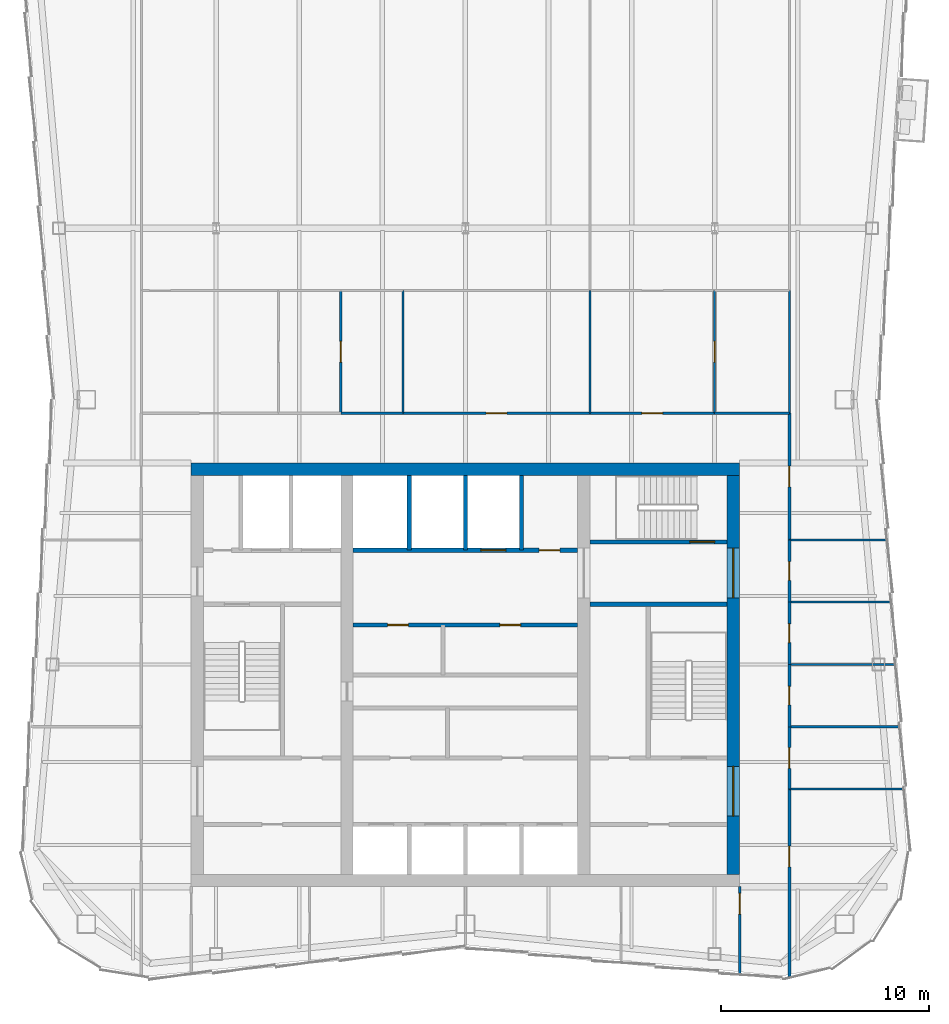
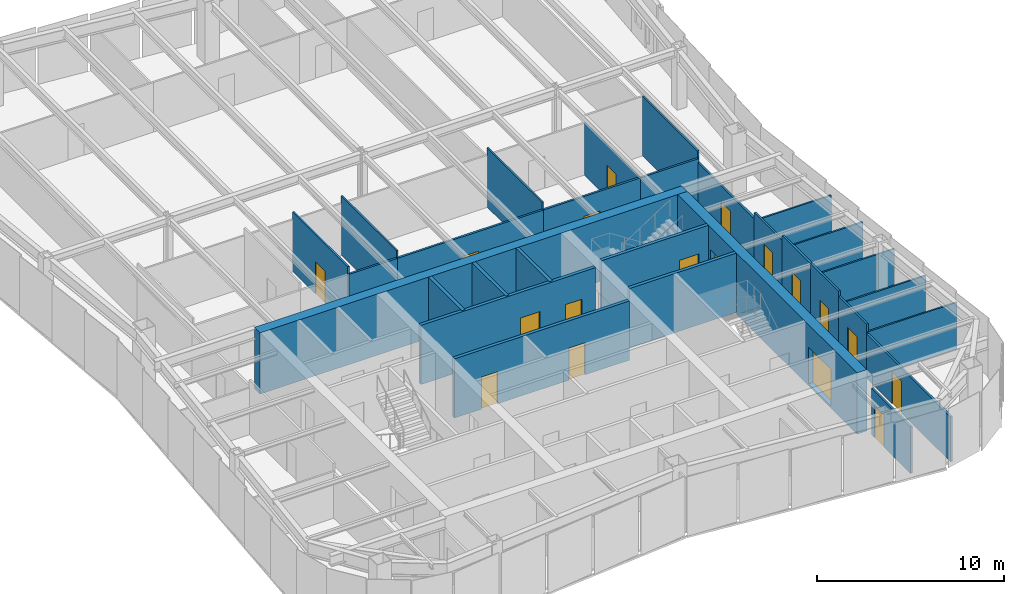
# One storey, part 7 of 10: 30 walls, 18 doors, 18 openings.
"""IFC4 building model written with IfcOpenShell, lengths in metres."""

from ifc_helpers import new_model, si_unit, direction, frame, frame_2d, origin, place, context, subcontext, project, spatial, rectangle, extrude, material, layer, layer_set, type_object, element, fill, save


model = new_model("IFC4")

# Units and contexts
model_context = context("Model", 3, precision=1e-05, world=origin(), true_north=direction((0.0, 1.0)))
body_context = subcontext(model_context, "Body", "Model", "MODEL_VIEW")
ifc_project = project(units=[si_unit("LENGTHUNIT", "METRE"), si_unit("AREAUNIT", "SQUARE_METRE"), si_unit("VOLUMEUNIT", "CUBIC_METRE"), si_unit("PLANEANGLEUNIT", "RADIAN"), si_unit("MASSUNIT", "GRAM", prefix="KILO")], contexts=[model_context])

# Site, building, storey
site_placement = place(None, origin())
site = spatial("IfcSite", under=ifc_project, at=site_placement, CompositionType="ELEMENT")
building_placement = place(site_placement, origin())
building = spatial("IfcBuilding", under=site, at=building_placement, Name="Verdant Reach Tower", CompositionType="ELEMENT")
storey_placement = place(building_placement, frame((0.0, 0.0, 310.0)))
storey = spatial("IfcBuildingStorey", under=building, at=storey_placement, Name="L71", CompositionType="ELEMENT", Elevation=310.0)

# Wall, openings, doors
ifc_material_1 = material(Name="Gypsum board on steel studs", Category="steel")
ifc_layer_1 = layer(ifc_material_1, 0.199951171875)
ifc_layer_set_1 = layer_set([ifc_layer_1], Name="CO-WALL-ROOM")
wall_type_1 = type_object("IfcWallType", Name="CO-WALL-ROOM", PredefinedType="PARTITIONING", material=ifc_layer_set_1)
wall_1_placement = place(storey_placement, frame((-5.39990234375, 30.39990234375, 0.0), z_axis=(0.0, 0.0, 1.0), x_axis=(1.0, 0.0, 0.0)))
wall_1 = element("IfcWall", 1, at=wall_1_placement, inside=storey, type_object=wall_type_1, Name="Core partition, L71", PredefinedType="PARTITIONING", context=body_context, shape_type="SweptSolid", body=[
    extrude(rectangle(XDim=10.7998046875, YDim=0.199951171875, at=frame_2d((5.39990234375, 0.0))), origin(), (0.0, 0.0, 1.0), 3.8701171875),
])
opening_1_placement = place(wall_1_placement, frame((1.659912109375, 0.0, 0.0)))
opening_1 = element("IfcOpeningElement", 2, at=opening_1_placement, cuts=wall_1, Name="Opening CD", PredefinedType="OPENING", context=body_context, shape_type="SweptSolid", body=[
    extrude(rectangle(XDim=1.0, YDim=2.10009765625, at=frame_2d((0.5, 1.050048828125))), frame((0.0, 0.10986328125, 0.0), z_axis=(0.0, -1.0, 0.0), x_axis=(1.0, 0.0, 0.0)), (0.0, 0.0, 1.0), 0.219970703125),
])
opening_2_placement = place(wall_1_placement, frame((7.06005859375, 0.0, 0.0)))
opening_2 = element("IfcOpeningElement", 3, at=opening_2_placement, cuts=wall_1, Name="Opening CD", PredefinedType="OPENING", context=body_context, shape_type="SweptSolid", body=[
    extrude(rectangle(XDim=1.0, YDim=2.10009765625, at=frame_2d((0.5, 1.050048828125))), frame((0.0, 0.10986328125, 0.0), z_axis=(0.0, -1.0, 0.0), x_axis=(1.0, 0.0, 0.0)), (0.0, 0.0, 1.0), 0.219970703125),
])
ifc_material_2 = material(Name="Timber", Category="wood")
door_type_1 = type_object("IfcDoorType", Name="CO-DOOR-ROOM", OperationType="NOTDEFINED", PredefinedType="DOOR", material=ifc_material_2)
door_1_placement = place(opening_1_placement, origin())
door_1 = element("IfcDoor", 4, at=door_1_placement, inside=storey, type_object=door_type_1, Name="Core room door, L71", OperationType="SINGLE_SWING_RIGHT", OverallHeight=2.10009765625, OverallWidth=1.0, PredefinedType="DOOR", context=body_context, shape_type="SweptSolid", body=[
    extrude(rectangle(XDim=1.0, YDim=2.10009765625, at=frame_2d((0.5, 1.050048828125))), frame((0.0, 0.02490234375, 0.0), z_axis=(0.0, -1.0, 0.0), x_axis=(1.0, 0.0, 0.0)), (0.0, 0.0, 1.0), 0.050048828125),
])
fill(opening_1, door_1)
door_2_placement = place(opening_2_placement, origin())
door_2 = element("IfcDoor", 5, at=door_2_placement, inside=storey, type_object=door_type_1, Name="Core room door, L71", OperationType="SINGLE_SWING_LEFT", OverallHeight=2.10009765625, OverallWidth=1.0, PredefinedType="DOOR", context=body_context, shape_type="SweptSolid", body=[
    extrude(rectangle(XDim=1.0, YDim=2.10009765625, at=frame_2d((0.5, 1.050048828125))), frame((0.0, 0.02490234375, 0.0), z_axis=(0.0, -1.0, 0.0), x_axis=(1.0, 0.0, 0.0)), (0.0, 0.0, 1.0), 0.050048828125),
])
fill(opening_2, door_2)

ifc_material_3 = material(Name="Concrete C40/50", Category="concrete")
ifc_layer_2 = layer(ifc_material_3, 0.199951171875)
ifc_layer_set_2 = layer_set([ifc_layer_2], Name="CO-WALL-SHAFT")
wall_type_2 = type_object("IfcWallType", Name="CO-WALL-SHAFT", PredefinedType="PARTITIONING", material=ifc_layer_set_2)
wall_2_placement = place(storey_placement, frame((-5.39990234375, 34.0, 0.0), z_axis=(0.0, 0.0, 1.0), x_axis=(1.0, 0.0, 0.0)))
wall_2 = element("IfcWall", 6, at=wall_2_placement, inside=storey, type_object=wall_type_2, Name="Lift shaft wall, L71", PredefinedType="PARTITIONING", context=body_context, shape_type="SweptSolid", body=[
    extrude(rectangle(XDim=10.7998046875, YDim=0.199951171875, at=frame_2d((5.39990234375, 0.0))), origin(), (0.0, 0.0, 1.0), 3.8701171875),
])
opening_3_placement = place(wall_2_placement, frame((6.14990234375, 0.0, 0.0)))
opening_3 = element("IfcOpeningElement", 7, at=opening_3_placement, cuts=wall_2, Name="Opening LD-SL1", PredefinedType="OPENING", context=body_context, shape_type="SweptSolid", body=[
    extrude(rectangle(XDim=1.199951171875, YDim=2.199951171875, at=frame_2d((0.60009765625, 1.10009765625))), frame((0.0, 0.10986328125, 0.0), z_axis=(0.0, -1.0, 0.0), x_axis=(1.0, 0.0, 0.0)), (0.0, 0.0, 1.0), 0.219970703125),
])
opening_4_placement = place(wall_2_placement, frame((8.949951171875, 0.0, 0.0)))
opening_4 = element("IfcOpeningElement", 8, at=opening_4_placement, cuts=wall_2, Name="Opening CD", PredefinedType="OPENING", context=body_context, shape_type="SweptSolid", body=[
    extrude(rectangle(XDim=1.0, YDim=2.10009765625, at=frame_2d((0.5, 1.050048828125))), frame((0.0, 0.10986328125, 0.0), z_axis=(0.0, -1.0, 0.0), x_axis=(1.0, 0.0, 0.0)), (0.0, 0.0, 1.0), 0.219970703125),
])
ifc_material_4 = material(Name="Stainless steel", Category="steel")
door_type_2 = type_object("IfcDoorType", Name="CO-DOOR-LANDING", OperationType="SLIDING_TO_LEFT", PredefinedType="DOOR", material=ifc_material_4)
door_3_placement = place(opening_3_placement, origin())
door_3 = element("IfcDoor", 9, at=door_3_placement, inside=storey, type_object=door_type_2, Name="Landing door SL1, L71", OperationType="SLIDING_TO_LEFT", OverallHeight=2.199951171875, OverallWidth=1.199951171875, PredefinedType="DOOR", context=body_context, shape_type="SweptSolid", body=[
    extrude(rectangle(XDim=1.199951171875, YDim=2.199951171875, at=frame_2d((0.60009765625, 1.10009765625))), frame((0.0, 0.02490234375, 0.0), z_axis=(0.0, -1.0, 0.0), x_axis=(1.0, 0.0, 0.0)), (0.0, 0.0, 1.0), 0.050048828125),
])
fill(opening_3, door_3)
door_4_placement = place(opening_4_placement, origin())
door_4 = element("IfcDoor", 10, at=door_4_placement, inside=storey, type_object=door_type_1, Name="Core room door, L71", OperationType="SINGLE_SWING_LEFT", OverallHeight=2.10009765625, OverallWidth=1.0, PredefinedType="DOOR", context=body_context, shape_type="SweptSolid", body=[
    extrude(rectangle(XDim=1.0, YDim=2.10009765625, at=frame_2d((0.5, 1.050048828125))), frame((0.0, 0.02490234375, 0.0), z_axis=(0.0, -1.0, 0.0), x_axis=(1.0, 0.0, 0.0)), (0.0, 0.0, 1.0), 0.050048828125),
])
fill(opening_4, door_4)

# Walls
for number, where, z_axis, x_axis, name in (
    (11, (-2.699951171875, 34.0, 0.0), (0.0, 0.0, 1.0), (0.0, 1.0, 0.0), "Lift shaft wall, L71"),
    (12, (0.0, 34.0, 0.0), (0.0, 0.0, 1.0), (0.0, 1.0, 0.0), "Lift shaft wall, L71"),
    (13, (2.699951171875, 34.0, 0.0), (0.0, 0.0, 1.0), (0.0, 1.0, 0.0), "Lift shaft wall, L71"),
):
    element("IfcWall", number, at=place(storey_placement, frame(where, z_axis=z_axis, x_axis=x_axis)), inside=storey, type_object=wall_type_2, Name=name, PredefinedType="PARTITIONING", context=body_context, shape_type="SweptSolid", body=[
        extrude(rectangle(XDim=3.60009765625, YDim=0.199951171875, at=frame_2d((1.800048828125, 0.0))), origin(), (0.0, 0.0, 1.0), 3.8701171875),
    ])
ifc_layer_3 = layer(ifc_material_3, 0.199951171875)
ifc_layer_set_3 = layer_set([ifc_layer_3], Name="CO-WALL-STAIR")
wall_type_3 = type_object("IfcWallType", Name="CO-WALL-STAIR", PredefinedType="PARTITIONING", material=ifc_layer_set_3)
wall_3_placement = place(storey_placement, frame((6.0, 31.39990234375, 0.0), z_axis=(0.0, 0.0, 1.0), x_axis=(1.0, 0.0, 0.0)))
element("IfcWall", 14, at=wall_3_placement, inside=storey, type_object=wall_type_3, Name="Stair enclosure wall, L71", PredefinedType="PARTITIONING", context=body_context, shape_type="SweptSolid", body=[
    extrude(rectangle(XDim=6.60009765625, YDim=0.199951171875, at=frame_2d((3.300048828125, 0.0))), origin(), (0.0, 0.0, 1.0), 3.8701171875),
])

# Wall, opening, door
wall_4_placement = place(storey_placement, frame((6.0, 34.39990234375, 0.0), z_axis=(0.0, 0.0, 1.0), x_axis=(1.0, 0.0, 0.0)))
wall_4 = element("IfcWall", 15, at=wall_4_placement, inside=storey, type_object=wall_type_3, Name="Stair enclosure wall, L71", PredefinedType="PARTITIONING", context=body_context, shape_type="SweptSolid", body=[
    extrude(rectangle(XDim=6.60009765625, YDim=0.199951171875, at=frame_2d((3.300048828125, 0.0))), origin(), (0.0, 0.0, 1.0), 3.8701171875),
])
opening_5_placement = place(wall_4_placement, frame((4.800048828125, 0.0, 0.0)))
opening_5 = element("IfcOpeningElement", 16, at=opening_5_placement, cuts=wall_4, Name="Opening SD", PredefinedType="OPENING", context=body_context, shape_type="SweptSolid", body=[
    extrude(rectangle(XDim=1.199951171875, YDim=2.199951171875, at=frame_2d((0.60009765625, 1.10009765625))), frame((0.0, 0.10986328125, 0.0), z_axis=(0.0, -1.0, 0.0), x_axis=(1.0, 0.0, 0.0)), (0.0, 0.0, 1.0), 0.219970703125),
])
ifc_material_5 = material(Name="Steel", Category="steel")
door_type_3 = type_object("IfcDoorType", Name="CO-DOOR-STAIR", OperationType="NOTDEFINED", PredefinedType="DOOR", material=ifc_material_5)
door_5_placement = place(opening_5_placement, origin())
door_5 = element("IfcDoor", 17, at=door_5_placement, inside=storey, type_object=door_type_3, Name="Stair door, L71", OperationType="SINGLE_SWING_RIGHT", OverallHeight=2.199951171875, OverallWidth=1.199951171875, PredefinedType="DOOR", context=body_context, shape_type="SweptSolid", body=[
    extrude(rectangle(XDim=1.199951171875, YDim=2.199951171875, at=frame_2d((0.60009765625, 1.10009765625))), frame((0.0, 0.02490234375, 0.0), z_axis=(0.0, -1.0, 0.0), x_axis=(1.0, 0.0, 0.0)), (0.0, 0.0, 1.0), 0.050048828125),
])
fill(opening_5, door_5)

# Walls
ifc_layer_4 = layer(ifc_material_1, 0.10009765625)
ifc_layer_set_4 = layer_set([ifc_layer_4], Name="FL-W1 Partition 100")
wall_type_4 = type_object("IfcWallType", Name="FL-W1 Partition 100", PredefinedType="PARTITIONING", material=ifc_layer_set_4)
wall_5_placement = place(storey_placement, frame((21.123046875, 22.5, 0.0), z_axis=(0.0, 0.0, 1.0), x_axis=(-1.0, 0.0, 0.0)))
element("IfcWall", 18, at=wall_5_placement, inside=storey, type_object=wall_type_4, Name="Partition 71.23", PredefinedType="PARTITIONING", context=body_context, shape_type="SweptSolid", body=[
    extrude(rectangle(XDim=5.52294921875, YDim=0.10009765625, at=frame_2d((2.761474609375, 0.0))), origin(), (0.0, 0.0, 1.0), 3.0400390625),
])
wall_6_placement = place(storey_placement, frame((20.916259765625, 25.5, 0.0), z_axis=(0.0, 0.0, 1.0), x_axis=(-1.0, 0.0, 0.0)))
element("IfcWall", 19, at=wall_6_placement, inside=storey, type_object=wall_type_4, Name="Partition 71.24", PredefinedType="PARTITIONING", context=body_context, shape_type="SweptSolid", body=[
    extrude(rectangle(XDim=5.316162109375, YDim=0.10009765625, at=frame_2d((2.658203125, 0.0))), origin(), (0.0, 0.0, 1.0), 3.0400390625),
])
wall_7_placement = place(storey_placement, frame((20.709228515625, 28.5, 0.0), z_axis=(0.0, 0.0, 1.0), x_axis=(-1.0, 0.0, 0.0)))
element("IfcWall", 20, at=wall_7_placement, inside=storey, type_object=wall_type_4, Name="Partition 71.25", PredefinedType="PARTITIONING", context=body_context, shape_type="SweptSolid", body=[
    extrude(rectangle(XDim=5.109130859375, YDim=0.10009765625, at=frame_2d((2.5546875, 0.0))), origin(), (0.0, 0.0, 1.0), 3.0400390625),
])
wall_8_placement = place(storey_placement, frame((20.50244140625, 31.5, 0.0), z_axis=(0.0, 0.0, 1.0), x_axis=(-1.0, 0.0, 0.0)))
element("IfcWall", 21, at=wall_8_placement, inside=storey, type_object=wall_type_4, Name="Partition 71.26", PredefinedType="PARTITIONING", context=body_context, shape_type="SweptSolid", body=[
    extrude(rectangle(XDim=4.90234375, YDim=0.10009765625, at=frame_2d((2.451171875, 0.0))), origin(), (0.0, 0.0, 1.0), 3.0400390625),
])
wall_9_placement = place(storey_placement, frame((20.29541015625, 34.5, 0.0), z_axis=(0.0, 0.0, 1.0), x_axis=(-1.0, 0.0, 0.0)))
element("IfcWall", 22, at=wall_9_placement, inside=storey, type_object=wall_type_4, Name="Partition 71.27", PredefinedType="PARTITIONING", context=body_context, shape_type="SweptSolid", body=[
    extrude(rectangle(XDim=4.6953125, YDim=0.10009765625, at=frame_2d((2.34765625, 0.0))), origin(), (0.0, 0.0, 1.0), 3.0400390625),
])
wall_10_placement = place(storey_placement, frame((15.60009765625, 46.5, 0.0), z_axis=(0.0, 0.0, 1.0), x_axis=(0.0, -1.0, 0.0)))
element("IfcWall", 23, at=wall_10_placement, inside=storey, type_object=wall_type_4, Name="Partition 71.28", PredefinedType="PARTITIONING", context=body_context, shape_type="SweptSolid", body=[
    extrude(rectangle(XDim=5.89990234375, YDim=0.10009765625, at=frame_2d((2.949951171875, 0.0))), origin(), (0.0, 0.0, 1.0), 3.8701171875),
])

# Wall, opening, door
wall_11_placement = place(storey_placement, frame((-6.0, 46.5, 0.0), z_axis=(0.0, 0.0, 1.0), x_axis=(0.0, -1.0, 0.0)))
wall_11 = element("IfcWall", 24, at=wall_11_placement, inside=storey, type_object=wall_type_4, Name="Partition 71.36", PredefinedType="PARTITIONING", context=body_context, shape_type="SweptSolid", body=[
    extrude(rectangle(XDim=5.89990234375, YDim=0.10009765625, at=frame_2d((2.949951171875, 0.0))), origin(), (0.0, 0.0, 1.0), 3.8701171875),
])
opening_6_placement = place(wall_11_placement, frame((2.449951171875, 0.0, 0.0)))
opening_6 = element("IfcOpeningElement", 25, at=opening_6_placement, cuts=wall_11, Name="Opening D3", PredefinedType="OPENING", context=body_context, shape_type="SweptSolid", body=[
    extrude(rectangle(XDim=1.0, YDim=2.10009765625, at=frame_2d((0.5, 1.050048828125))), frame((0.0, 0.06005859375, 0.0), z_axis=(0.0, -1.0, 0.0), x_axis=(1.0, 0.0, 0.0)), (0.0, 0.0, 1.0), 0.1201171875),
])
ifc_material_6 = material(Name="Painted timber door leaf", Category="wood")
door_type_4 = type_object("IfcDoorType", Name="FL-D3 Door 1000x2100", OperationType="NOTDEFINED", PredefinedType="DOOR", material=ifc_material_6)
door_6_placement = place(opening_6_placement, origin())
door_6 = element("IfcDoor", 26, at=door_6_placement, inside=storey, type_object=door_type_4, Name="Door 71-019", OperationType="SINGLE_SWING_LEFT", OverallHeight=2.10009765625, OverallWidth=1.0, PredefinedType="DOOR", context=body_context, shape_type="SweptSolid", body=[
    extrude(rectangle(XDim=1.0, YDim=2.10009765625, at=frame_2d((0.5, 1.050048828125))), frame((0.0, 0.02490234375, 0.0), z_axis=(0.0, -1.0, 0.0), x_axis=(1.0, 0.0, 0.0)), (0.0, 0.0, 1.0), 0.050048828125),
])
fill(opening_6, door_6)

# Walls
for number, where, z_axis, x_axis, name in (
    (27, (-3.0, 40.60009765625, 0.0), (0.0, 0.0, 1.0), (0.0, 1.0, 0.0), "Partition 71.38"),
    (28, (6.0, 40.60009765625, 0.0), (0.0, 0.0, 1.0), (0.0, 1.0, 0.0), "Partition 71.41"),
):
    element("IfcWall", number, at=place(storey_placement, frame(where, z_axis=z_axis, x_axis=x_axis)), inside=storey, type_object=wall_type_4, Name=name, PredefinedType="PARTITIONING", context=body_context, shape_type="SweptSolid", body=[
        extrude(rectangle(XDim=5.89990234375, YDim=0.10009765625, at=frame_2d((2.949951171875, 0.0))), origin(), (0.0, 0.0, 1.0), 3.8701171875),
    ])

# Wall, opening, door
wall_12_placement = place(storey_placement, frame((12.0, 46.5, 0.0), z_axis=(0.0, 0.0, 1.0), x_axis=(0.0, -1.0, 0.0)))
wall_12 = element("IfcWall", 29, at=wall_12_placement, inside=storey, type_object=wall_type_4, Name="Partition 71.49", PredefinedType="PARTITIONING", context=body_context, shape_type="SweptSolid", body=[
    extrude(rectangle(XDim=5.89990234375, YDim=0.10009765625, at=frame_2d((2.949951171875, 0.0))), origin(), (0.0, 0.0, 1.0), 3.389892578125),
])
opening_7_placement = place(wall_12_placement, frame((2.449951171875, 0.0, 0.0)))
opening_7 = element("IfcOpeningElement", 30, at=opening_7_placement, cuts=wall_12, Name="Opening D3", PredefinedType="OPENING", context=body_context, shape_type="SweptSolid", body=[
    extrude(rectangle(XDim=1.0, YDim=2.10009765625, at=frame_2d((0.5, 1.050048828125))), frame((0.0, 0.06005859375, 0.0), z_axis=(0.0, -1.0, 0.0), x_axis=(1.0, 0.0, 0.0)), (0.0, 0.0, 1.0), 0.1201171875),
])
door_7_placement = place(opening_7_placement, origin())
door_7 = element("IfcDoor", 31, at=door_7_placement, inside=storey, type_object=door_type_4, Name="Door 71-023", OperationType="SINGLE_SWING_LEFT", OverallHeight=2.10009765625, OverallWidth=1.0, PredefinedType="DOOR", context=body_context, shape_type="SweptSolid", body=[
    extrude(rectangle(XDim=1.0, YDim=2.10009765625, at=frame_2d((0.5, 1.050048828125))), frame((0.0, 0.02490234375, 0.0), z_axis=(0.0, -1.0, 0.0), x_axis=(1.0, 0.0, 0.0)), (0.0, 0.0, 1.0), 0.050048828125),
])
fill(opening_7, door_7)

ifc_material_7 = material(Name="Gypsum board on steel studs, fire rated", Category="steel")
ifc_layer_5 = layer(ifc_material_7, 0.125)
ifc_layer_set_5 = layer_set([ifc_layer_5], Name="FL-W2 Corridor wall 125")
wall_type_5 = type_object("IfcWallType", Name="FL-W2 Corridor wall 125", PredefinedType="PARTITIONING", material=ifc_layer_set_5)
wall_13_placement = place(storey_placement, frame((15.60009765625, 22.5, 0.0), z_axis=(0.0, 0.0, 1.0), x_axis=(0.0, -1.0, 0.0)))
wall_13 = element("IfcWall", 32, at=wall_13_placement, inside=storey, type_object=wall_type_5, Name="Partition 71.04", PredefinedType="PARTITIONING", context=body_context, shape_type="SweptSolid", body=[
    extrude(rectangle(XDim=9.010498046875, YDim=0.125, at=frame_2d((4.50537109375, 0.0))), origin(), (0.0, 0.0, 1.0), 2.929931640625),
])
opening_8_placement = place(wall_13_placement, frame((2.73974609375, 0.0, 0.0)))
opening_8 = element("IfcOpeningElement", 33, at=opening_8_placement, cuts=wall_13, Name="Opening D2", PredefinedType="OPENING", context=body_context, shape_type="SweptSolid", body=[
    extrude(rectangle(XDim=1.0, YDim=2.10009765625, at=frame_2d((0.5, 1.050048828125))), frame((0.0, 0.072509765625, 0.0), z_axis=(0.0, -1.0, 0.0), x_axis=(1.0, 0.0, 0.0)), (0.0, 0.0, 1.0), 0.14501953125),
])
ifc_material_8 = material(Name="Timber door leaf, fire rated", Category="wood")
door_type_5 = type_object("IfcDoorType", Name="FL-D2 Entrance door 1000x2100 FD30", OperationType="NOTDEFINED", PredefinedType="DOOR", material=ifc_material_8)
door_8_placement = place(opening_8_placement, origin())
door_8 = element("IfcDoor", 34, at=door_8_placement, inside=storey, type_object=door_type_5, Name="Door 71-004", OperationType="SINGLE_SWING_LEFT", OverallHeight=2.10009765625, OverallWidth=1.0, PredefinedType="DOOR", context=body_context, shape_type="SweptSolid", body=[
    extrude(rectangle(XDim=1.0, YDim=2.10009765625, at=frame_2d((0.5, 1.050048828125))), frame((0.0, 0.02490234375, 0.0), z_axis=(0.0, -1.0, 0.0), x_axis=(1.0, 0.0, 0.0)), (0.0, 0.0, 1.0), 0.050048828125),
])
fill(opening_8, door_8)

wall_14_placement = place(storey_placement, frame((15.60009765625, 25.5, 0.0), z_axis=(0.0, 0.0, 1.0), x_axis=(0.0, -1.0, 0.0)))
wall_14 = element("IfcWall", 35, at=wall_14_placement, inside=storey, type_object=wall_type_5, Name="Partition 71.05", PredefinedType="PARTITIONING", context=body_context, shape_type="SweptSolid", body=[
    extrude(rectangle(XDim=3.0, YDim=0.125, at=frame_2d((1.5, 0.0))), origin(), (0.0, 0.0, 1.0), 3.5400390625),
])
opening_9_placement = place(wall_14_placement, frame((1.0, 0.0, 0.0)))
opening_9 = element("IfcOpeningElement", 36, at=opening_9_placement, cuts=wall_14, Name="Opening D2", PredefinedType="OPENING", context=body_context, shape_type="SweptSolid", body=[
    extrude(rectangle(XDim=1.0, YDim=2.10009765625, at=frame_2d((0.5, 1.050048828125))), frame((0.0, 0.072509765625, 0.0), z_axis=(0.0, -1.0, 0.0), x_axis=(1.0, 0.0, 0.0)), (0.0, 0.0, 1.0), 0.14501953125),
])
door_9_placement = place(opening_9_placement, origin())
door_9 = element("IfcDoor", 37, at=door_9_placement, inside=storey, type_object=door_type_5, Name="Door 71-005", OperationType="SINGLE_SWING_LEFT", OverallHeight=2.10009765625, OverallWidth=1.0, PredefinedType="DOOR", context=body_context, shape_type="SweptSolid", body=[
    extrude(rectangle(XDim=1.0, YDim=2.10009765625, at=frame_2d((0.5, 1.050048828125))), frame((0.0, 0.02490234375, 0.0), z_axis=(0.0, -1.0, 0.0), x_axis=(1.0, 0.0, 0.0)), (0.0, 0.0, 1.0), 0.050048828125),
])
fill(opening_9, door_9)

wall_15_placement = place(storey_placement, frame((15.60009765625, 28.5, 0.0), z_axis=(0.0, 0.0, 1.0), x_axis=(0.0, -1.0, 0.0)))
wall_15 = element("IfcWall", 38, at=wall_15_placement, inside=storey, type_object=wall_type_5, Name="Partition 71.06", PredefinedType="PARTITIONING", context=body_context, shape_type="SweptSolid", body=[
    extrude(rectangle(XDim=3.0, YDim=0.125, at=frame_2d((1.5, 0.0))), origin(), (0.0, 0.0, 1.0), 3.8701171875),
])
opening_10_placement = place(wall_15_placement, frame((1.050048828125, 0.0, 0.0)))
opening_10 = element("IfcOpeningElement", 39, at=opening_10_placement, cuts=wall_15, Name="Opening D1", PredefinedType="OPENING", context=body_context, shape_type="SweptSolid", body=[
    extrude(rectangle(XDim=0.89990234375, YDim=2.10009765625, at=frame_2d((0.449951171875, 1.050048828125))), frame((0.0, 0.072509765625, 0.0), z_axis=(0.0, -1.0, 0.0), x_axis=(1.0, 0.0, 0.0)), (0.0, 0.0, 1.0), 0.14501953125),
])
door_type_6 = type_object("IfcDoorType", Name="FL-D1 Door 900x2100", OperationType="NOTDEFINED", PredefinedType="DOOR", material=ifc_material_6)
door_10_placement = place(opening_10_placement, origin())
door_10 = element("IfcDoor", 40, at=door_10_placement, inside=storey, type_object=door_type_6, Name="Door 71-006", OperationType="SINGLE_SWING_RIGHT", OverallHeight=2.10009765625, OverallWidth=0.89990234375, PredefinedType="DOOR", context=body_context, shape_type="SweptSolid", body=[
    extrude(rectangle(XDim=0.89990234375, YDim=2.10009765625, at=frame_2d((0.449951171875, 1.050048828125))), frame((0.0, 0.02490234375, 0.0), z_axis=(0.0, -1.0, 0.0), x_axis=(1.0, 0.0, 0.0)), (0.0, 0.0, 1.0), 0.050048828125),
])
fill(opening_10, door_10)

wall_16_placement = place(storey_placement, frame((15.60009765625, 31.5, 0.0), z_axis=(0.0, 0.0, 1.0), x_axis=(0.0, -1.0, 0.0)))
wall_16 = element("IfcWall", 41, at=wall_16_placement, inside=storey, type_object=wall_type_5, Name="Partition 71.07", PredefinedType="PARTITIONING", context=body_context, shape_type="SweptSolid", body=[
    extrude(rectangle(XDim=3.0, YDim=0.125, at=frame_2d((1.5, 0.0))), origin(), (0.0, 0.0, 1.0), 3.8701171875),
])
opening_11_placement = place(wall_16_placement, frame((1.050048828125, 0.0, 0.0)))
opening_11 = element("IfcOpeningElement", 42, at=opening_11_placement, cuts=wall_16, Name="Opening D1", PredefinedType="OPENING", context=body_context, shape_type="SweptSolid", body=[
    extrude(rectangle(XDim=0.89990234375, YDim=2.10009765625, at=frame_2d((0.449951171875, 1.050048828125))), frame((0.0, 0.072509765625, 0.0), z_axis=(0.0, -1.0, 0.0), x_axis=(1.0, 0.0, 0.0)), (0.0, 0.0, 1.0), 0.14501953125),
])
door_11_placement = place(opening_11_placement, origin())
door_11 = element("IfcDoor", 43, at=door_11_placement, inside=storey, type_object=door_type_6, Name="Door 71-007", OperationType="SINGLE_SWING_LEFT", OverallHeight=2.10009765625, OverallWidth=0.89990234375, PredefinedType="DOOR", context=body_context, shape_type="SweptSolid", body=[
    extrude(rectangle(XDim=0.89990234375, YDim=2.10009765625, at=frame_2d((0.449951171875, 1.050048828125))), frame((0.0, 0.02490234375, 0.0), z_axis=(0.0, -1.0, 0.0), x_axis=(1.0, 0.0, 0.0)), (0.0, 0.0, 1.0), 0.050048828125),
])
fill(opening_11, door_11)

wall_17_placement = place(storey_placement, frame((15.60009765625, 34.5, 0.0), z_axis=(0.0, 0.0, 1.0), x_axis=(0.0, -1.0, 0.0)))
wall_17 = element("IfcWall", 44, at=wall_17_placement, inside=storey, type_object=wall_type_5, Name="Partition 71.08", PredefinedType="PARTITIONING", context=body_context, shape_type="SweptSolid", body=[
    extrude(rectangle(XDim=3.0, YDim=0.125, at=frame_2d((1.5, 0.0))), origin(), (0.0, 0.0, 1.0), 3.5400390625),
])
opening_12_placement = place(wall_17_placement, frame((1.050048828125, 0.0, 0.0)))
opening_12 = element("IfcOpeningElement", 45, at=opening_12_placement, cuts=wall_17, Name="Opening D1", PredefinedType="OPENING", context=body_context, shape_type="SweptSolid", body=[
    extrude(rectangle(XDim=0.89990234375, YDim=2.10009765625, at=frame_2d((0.449951171875, 1.050048828125))), frame((0.0, 0.072509765625, 0.0), z_axis=(0.0, -1.0, 0.0), x_axis=(1.0, 0.0, 0.0)), (0.0, 0.0, 1.0), 0.14501953125),
])
door_12_placement = place(opening_12_placement, origin())
door_12 = element("IfcDoor", 46, at=door_12_placement, inside=storey, type_object=door_type_6, Name="Door 71-008", OperationType="SINGLE_SWING_RIGHT", OverallHeight=2.10009765625, OverallWidth=0.89990234375, PredefinedType="DOOR", context=body_context, shape_type="SweptSolid", body=[
    extrude(rectangle(XDim=0.89990234375, YDim=2.10009765625, at=frame_2d((0.449951171875, 1.050048828125))), frame((0.0, 0.02490234375, 0.0), z_axis=(0.0, -1.0, 0.0), x_axis=(1.0, 0.0, 0.0)), (0.0, 0.0, 1.0), 0.050048828125),
])
fill(opening_12, door_12)

wall_18_placement = place(storey_placement, frame((15.60009765625, 40.60400390625, 0.0), z_axis=(0.0, 0.0, 1.0), x_axis=(0.0, -1.0, 0.0)))
wall_18 = element("IfcWall", 47, at=wall_18_placement, inside=storey, type_object=wall_type_5, Name="Partition 71.09", PredefinedType="PARTITIONING", context=body_context, shape_type="SweptSolid", body=[
    extrude(rectangle(XDim=6.10400390625, YDim=0.125, at=frame_2d((3.052001953125, 0.0))), origin(), (0.0, 0.0, 1.0), 3.139892578125),
])
opening_13_placement = place(wall_18_placement, frame((2.552001953125, 0.0, 0.0)))
opening_13 = element("IfcOpeningElement", 48, at=opening_13_placement, cuts=wall_18, Name="Opening D2", PredefinedType="OPENING", context=body_context, shape_type="SweptSolid", body=[
    extrude(rectangle(XDim=1.0, YDim=2.10009765625, at=frame_2d((0.5, 1.050048828125))), frame((0.0, 0.072509765625, 0.0), z_axis=(0.0, -1.0, 0.0), x_axis=(1.0, 0.0, 0.0)), (0.0, 0.0, 1.0), 0.14501953125),
])
door_13_placement = place(opening_13_placement, origin())
door_13 = element("IfcDoor", 49, at=door_13_placement, inside=storey, type_object=door_type_5, Name="Door 71-009", OperationType="SINGLE_SWING_LEFT", OverallHeight=2.10009765625, OverallWidth=1.0, PredefinedType="DOOR", context=body_context, shape_type="SweptSolid", body=[
    extrude(rectangle(XDim=1.0, YDim=2.10009765625, at=frame_2d((0.5, 1.050048828125))), frame((0.0, 0.02490234375, 0.0), z_axis=(0.0, -1.0, 0.0), x_axis=(1.0, 0.0, 0.0)), (0.0, 0.0, 1.0), 0.050048828125),
])
fill(opening_13, door_13)

wall_19_placement = place(storey_placement, frame((13.199951171875, 13.62158203125, 0.0), z_axis=(0.0, 0.0, 1.0), x_axis=(0.0, 1.0, 0.0)))
wall_19 = element("IfcWall", 50, at=wall_19_placement, inside=storey, type_object=wall_type_5, Name="Partition 71.11", PredefinedType="PARTITIONING", context=body_context, shape_type="SweptSolid", body=[
    extrude(rectangle(XDim=4.178466796875, YDim=0.125, at=frame_2d((2.08935546875, 0.0))), origin(), (0.0, 0.0, 1.0), 3.0400390625),
])
opening_14_placement = place(wall_19_placement, frame((2.854248046875, 0.0, 0.0)))
opening_14 = element("IfcOpeningElement", 51, at=opening_14_placement, cuts=wall_19, Name="Opening D2", PredefinedType="OPENING", context=body_context, shape_type="SweptSolid", body=[
    extrude(rectangle(XDim=1.0, YDim=2.10009765625, at=frame_2d((0.5, 1.050048828125))), frame((0.0, 0.072509765625, 0.0), z_axis=(0.0, -1.0, 0.0), x_axis=(1.0, 0.0, 0.0)), (0.0, 0.0, 1.0), 0.14501953125),
])
door_14_placement = place(opening_14_placement, origin())
door_14 = element("IfcDoor", 52, at=door_14_placement, inside=storey, type_object=door_type_5, Name="Door 71-011", OperationType="SINGLE_SWING_RIGHT", OverallHeight=2.10009765625, OverallWidth=1.0, PredefinedType="DOOR", context=body_context, shape_type="SweptSolid", body=[
    extrude(rectangle(XDim=1.0, YDim=2.10009765625, at=frame_2d((0.5, 1.050048828125))), frame((0.0, 0.02490234375, 0.0), z_axis=(0.0, -1.0, 0.0), x_axis=(1.0, 0.0, 0.0)), (0.0, 0.0, 1.0), 0.050048828125),
])
fill(opening_14, door_14)

# Wall
wall_20_placement = place(storey_placement, frame((-3.0, 40.60009765625, 0.0), z_axis=(0.0, 0.0, 1.0), x_axis=(-1.0, 0.0, 0.0)))
element("IfcWall", 53, at=wall_20_placement, inside=storey, type_object=wall_type_5, Name="Partition 71.14", PredefinedType="PARTITIONING", context=body_context, shape_type="SweptSolid", body=[
    extrude(rectangle(XDim=3.0, YDim=0.125, at=frame_2d((1.5, 0.0))), origin(), (0.0, 0.0, 1.0), 3.389892578125),
])

# Wall, opening, door
wall_21_placement = place(storey_placement, frame((-3.0, 40.60009765625, 0.0), z_axis=(0.0, 0.0, 1.0), x_axis=(1.0, 0.0, 0.0)))
wall_21 = element("IfcWall", 54, at=wall_21_placement, inside=storey, type_object=wall_type_5, Name="Partition 71.15", PredefinedType="PARTITIONING", context=body_context, shape_type="SweptSolid", body=[
    extrude(rectangle(XDim=9.0, YDim=0.125, at=frame_2d((4.5, 0.0))), origin(), (0.0, 0.0, 1.0), 3.389892578125),
])
opening_15_placement = place(wall_21_placement, frame((4.0, 0.0, 0.0)))
opening_15 = element("IfcOpeningElement", 55, at=opening_15_placement, cuts=wall_21, Name="Opening D2", PredefinedType="OPENING", context=body_context, shape_type="SweptSolid", body=[
    extrude(rectangle(XDim=1.0, YDim=2.10009765625, at=frame_2d((0.5, 1.050048828125))), frame((0.0, 0.072509765625, 0.0), z_axis=(0.0, -1.0, 0.0), x_axis=(1.0, 0.0, 0.0)), (0.0, 0.0, 1.0), 0.14501953125),
])
door_15_placement = place(opening_15_placement, origin())
door_15 = element("IfcDoor", 56, at=door_15_placement, inside=storey, type_object=door_type_5, Name="Door 71-013", OperationType="SINGLE_SWING_LEFT", OverallHeight=2.10009765625, OverallWidth=1.0, PredefinedType="DOOR", context=body_context, shape_type="SweptSolid", body=[
    extrude(rectangle(XDim=1.0, YDim=2.10009765625, at=frame_2d((0.5, 1.050048828125))), frame((0.0, 0.02490234375, 0.0), z_axis=(0.0, -1.0, 0.0), x_axis=(1.0, 0.0, 0.0)), (0.0, 0.0, 1.0), 0.050048828125),
])
fill(opening_15, door_15)

wall_22_placement = place(storey_placement, frame((6.0, 40.60009765625, 0.0), z_axis=(0.0, 0.0, 1.0), x_axis=(1.0, 0.0, 0.0)))
wall_22 = element("IfcWall", 57, at=wall_22_placement, inside=storey, type_object=wall_type_5, Name="Partition 71.16", PredefinedType="PARTITIONING", context=body_context, shape_type="SweptSolid", body=[
    extrude(rectangle(XDim=6.0, YDim=0.125, at=frame_2d((3.0, 0.0))), origin(), (0.0, 0.0, 1.0), 3.389892578125),
])
opening_16_placement = place(wall_22_placement, frame((2.5, 0.0, 0.0)))
opening_16 = element("IfcOpeningElement", 58, at=opening_16_placement, cuts=wall_22, Name="Opening D2", PredefinedType="OPENING", context=body_context, shape_type="SweptSolid", body=[
    extrude(rectangle(XDim=1.0, YDim=2.10009765625, at=frame_2d((0.5, 1.050048828125))), frame((0.0, 0.072509765625, 0.0), z_axis=(0.0, -1.0, 0.0), x_axis=(1.0, 0.0, 0.0)), (0.0, 0.0, 1.0), 0.14501953125),
])
door_16_placement = place(opening_16_placement, origin())
door_16 = element("IfcDoor", 59, at=door_16_placement, inside=storey, type_object=door_type_5, Name="Door 71-014", OperationType="SINGLE_SWING_RIGHT", OverallHeight=2.10009765625, OverallWidth=1.0, PredefinedType="DOOR", context=body_context, shape_type="SweptSolid", body=[
    extrude(rectangle(XDim=1.0, YDim=2.10009765625, at=frame_2d((0.5, 1.050048828125))), frame((0.0, 0.02490234375, 0.0), z_axis=(0.0, -1.0, 0.0), x_axis=(1.0, 0.0, 0.0)), (0.0, 0.0, 1.0), 0.050048828125),
])
fill(opening_16, door_16)

# Walls
wall_23_placement = place(storey_placement, frame((15.60009765625, 40.60009765625, 0.0), z_axis=(0.0, 0.0, 1.0), x_axis=(-1.0, 0.0, 0.0)))
element("IfcWall", 60, at=wall_23_placement, inside=storey, type_object=wall_type_5, Name="Partition 71.17", PredefinedType="PARTITIONING", context=body_context, shape_type="SweptSolid", body=[
    extrude(rectangle(XDim=3.60009765625, YDim=0.125, at=frame_2d((1.800048828125, 0.0))), origin(), (0.0, 0.0, 1.0), 3.389892578125),
])
ifc_material_9 = material(Name="Concrete C70/85", Category="concrete")
ifc_layer_6 = layer(ifc_material_9, 0.60009765625)
ifc_layer_set_6 = layer_set([ifc_layer_6], Name="ST-CORE-WALL-600")
wall_type_6 = type_object("IfcWallType", Name="ST-CORE-WALL-600", PredefinedType="SHEAR", material=ifc_layer_set_6)
wall_24_placement = place(storey_placement, frame((-13.199951171875, 37.89990234375, -0.1298828125), z_axis=(0.0, 0.0, 1.0), x_axis=(1.0, 0.0, 0.0)))
element("IfcWall", 61, at=wall_24_placement, inside=storey, type_object=wall_type_6, Name="Core wall N, L71", PredefinedType="SHEAR", context=body_context, shape_type="SweptSolid", body=[
    extrude(rectangle(XDim=26.39990234375, YDim=0.60009765625, at=frame_2d((13.199951171875, 0.0))), origin(), (0.0, 0.0, 1.0), 4.0),
])

# Wall, openings, doors
wall_25_placement = place(storey_placement, frame((12.89990234375, 18.39990234375, -0.1298828125), z_axis=(0.0, 0.0, 1.0), x_axis=(0.0, 1.0, 0.0)))
wall_25 = element("IfcWall", 62, at=wall_25_placement, inside=storey, type_object=wall_type_6, Name="Core wall E, L71", PredefinedType="SHEAR", context=body_context, shape_type="SweptSolid", body=[
    extrude(rectangle(XDim=19.2001953125, YDim=0.60009765625, at=frame_2d((9.60009765625, 0.0))), origin(), (0.0, 0.0, 1.0), 4.0),
])
opening_17_placement = place(wall_25_placement, frame((2.800048828125, 0.0, 0.1298828125)))
opening_17 = element("IfcOpeningElement", 63, at=opening_17_placement, cuts=wall_25, Name="Opening LB", PredefinedType="OPENING", context=body_context, shape_type="SweptSolid", body=[
    extrude(rectangle(XDim=2.39990234375, YDim=2.39990234375, at=frame_2d((1.199951171875, 1.199951171875))), frame((0.0, 0.31005859375, 0.0), z_axis=(0.0, -1.0, 0.0), x_axis=(1.0, 0.0, 0.0)), (0.0, 0.0, 1.0), 0.6201171875),
])
opening_18_placement = place(wall_25_placement, frame((13.300048828125, 0.0, 0.1298828125)))
opening_18 = element("IfcOpeningElement", 64, at=opening_18_placement, cuts=wall_25, Name="Opening LB", PredefinedType="OPENING", context=body_context, shape_type="SweptSolid", body=[
    extrude(rectangle(XDim=2.39990234375, YDim=2.39990234375, at=frame_2d((1.199951171875, 1.199951171875))), frame((0.0, 0.31005859375, 0.0), z_axis=(0.0, -1.0, 0.0), x_axis=(1.0, 0.0, 0.0)), (0.0, 0.0, 1.0), 0.6201171875),
])
ifc_material_10 = material(Name="Glass and steel", Category="steel")
door_type_7 = type_object("IfcDoorType", Name="CO-DOOR-LOBBY", OperationType="DOUBLE_DOOR_SINGLE_SWING", PredefinedType="DOOR", material=ifc_material_10)
door_17_placement = place(opening_17_placement, origin())
door_17 = element("IfcDoor", 65, at=door_17_placement, inside=storey, type_object=door_type_7, Name="Core entrance door, L71", OperationType="DOUBLE_DOOR_SINGLE_SWING", OverallHeight=2.39990234375, OverallWidth=2.39990234375, PredefinedType="DOOR", context=body_context, shape_type="SweptSolid", body=[
    extrude(rectangle(XDim=2.39990234375, YDim=2.39990234375, at=frame_2d((1.199951171875, 1.199951171875))), frame((0.0, 0.02490234375, 0.0), z_axis=(0.0, -1.0, 0.0), x_axis=(1.0, 0.0, 0.0)), (0.0, 0.0, 1.0), 0.050048828125),
])
fill(opening_17, door_17)
door_18_placement = place(opening_18_placement, origin())
door_18 = element("IfcDoor", 66, at=door_18_placement, inside=storey, type_object=door_type_7, Name="Core entrance door, L71", OperationType="DOUBLE_DOOR_SINGLE_SWING", OverallHeight=2.39990234375, OverallWidth=2.39990234375, PredefinedType="DOOR", context=body_context, shape_type="SweptSolid", body=[
    extrude(rectangle(XDim=2.39990234375, YDim=2.39990234375, at=frame_2d((1.199951171875, 1.199951171875))), frame((0.0, 0.02490234375, 0.0), z_axis=(0.0, -1.0, 0.0), x_axis=(1.0, 0.0, 0.0)), (0.0, 0.0, 1.0), 0.050048828125),
])
fill(opening_18, door_18)

save(model, "model.ifc")
